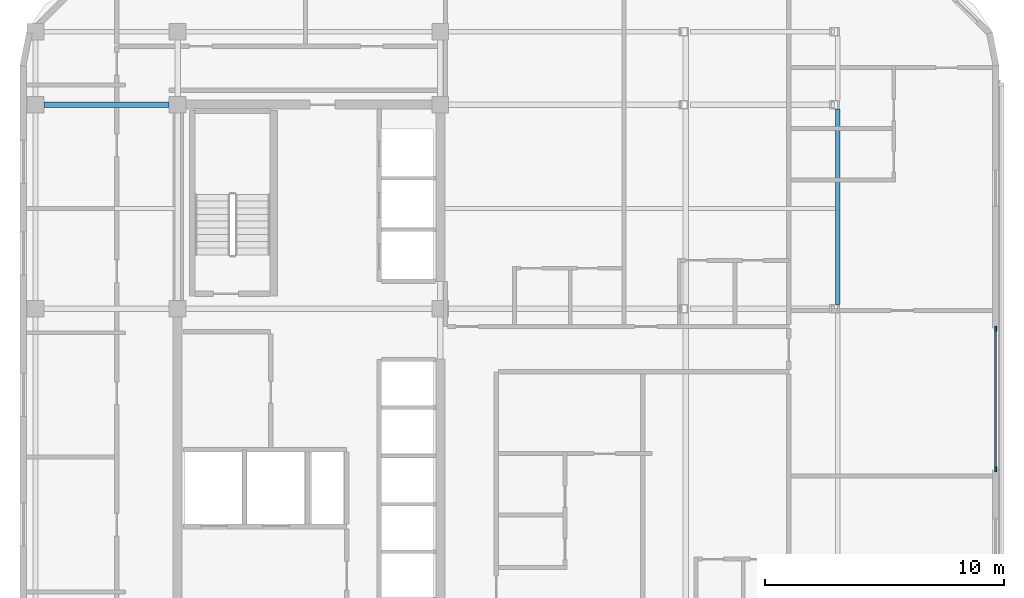
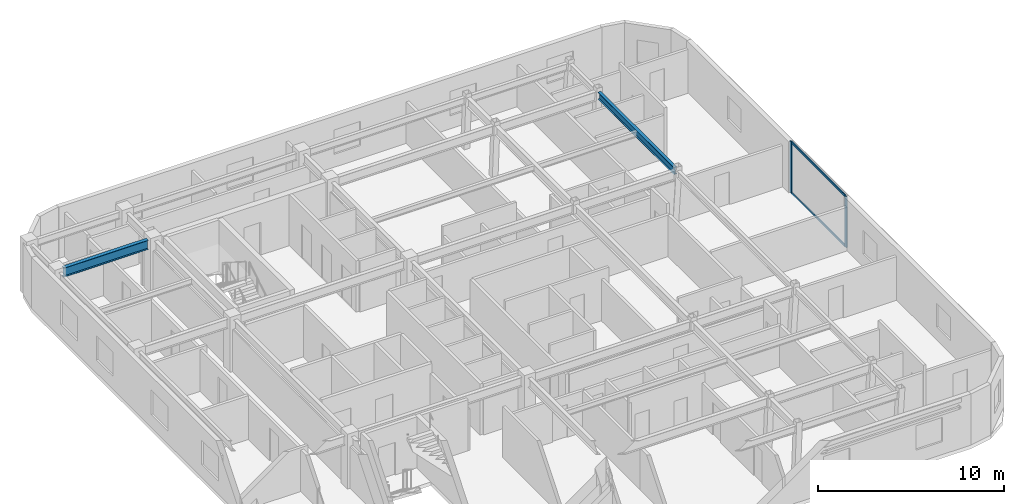
# One storey, part 2 of 11: 4 members, 2 beams, 1 element without a shape of its own.
"""IFC4 building model written with IfcOpenShell, lengths in metres."""

from ifc_helpers import new_model, si_unit, direction, frame, origin, origin_2d, place, context, subcontext, project, spatial, rectangle, i_section, extrude, material, layer, layer_set, material_profile, profile_set, type_object, element, aggregate, save


model = new_model("IFC4")

# Units and contexts
model_context = context("Model", 3, precision=1e-05, world=origin(), true_north=direction((0.0, 1.0)))
body_context = subcontext(model_context, "Body", "Model", "MODEL_VIEW")
ifc_project = project(units=[si_unit("LENGTHUNIT", "METRE"), si_unit("AREAUNIT", "SQUARE_METRE"), si_unit("VOLUMEUNIT", "CUBIC_METRE"), si_unit("PLANEANGLEUNIT", "RADIAN"), si_unit("MASSUNIT", "GRAM", prefix="KILO")], contexts=[model_context])

# Site, building, storey
site_placement = place(None, origin())
site = spatial("IfcSite", under=ifc_project, at=site_placement, CompositionType="ELEMENT")
building_placement = place(site_placement, origin())
building = spatial("IfcBuilding", under=site, at=building_placement, Name="Ochreholt Gables", CompositionType="ELEMENT")
storey_placement = place(building_placement, frame((0.0, 0.0, 155.39990234375)))
storey = spatial("IfcBuildingStorey", under=building, at=storey_placement, Name="L40", CompositionType="ELEMENT", Elevation=155.39990234375)

# Beams
ifc_material_1 = material(Name="Steel CSA G40.21 350W", Category="steel")
ifc_material_profile_1 = material_profile(ifc_material_1, i_section(OverallWidth=0.22900390625, OverallDepth=0.612060546875, WebThickness=0.011962890625, FlangeThickness=0.01953125, at=origin_2d()), Name="W610X125")
ifc_profile_set_1 = profile_set([ifc_material_profile_1], Name="Steel CSA G40.21 350W")
beam_type_1 = type_object("IfcBeamType", Name="BM-G-W610B", PredefinedType="BEAM", material=ifc_profile_set_1)
beam_1_placement = place(storey_placement, frame((18.599609375, 38.75, 3.05419921875), z_axis=(1.0, 0.0, 0.0), x_axis=(0.0, 1.0, 0.0)))
element("IfcBeam", 1, at=beam_1_placement, inside=storey, type_object=beam_type_1, Name="L40 Beam TBG-L40-W3C1-Y5", PredefinedType="BEAM", context=body_context, shape_type="SweptSolid", body=[
    extrude(i_section(OverallWidth=0.22900390625, OverallDepth=0.612060546875, WebThickness=0.011962890625, FlangeThickness=0.01953125, at=origin_2d()), origin(), (0.0, 0.0, 1.0), 5.250732421875),
])
ifc_material_profile_2 = material_profile(ifc_material_1, i_section(OverallWidth=0.19189453125, OverallDepth=0.462890625, WebThickness=0.010498046875, FlangeThickness=0.017578125, at=origin_2d()), Name="W460X89")
ifc_profile_set_2 = profile_set([ifc_material_profile_2], Name="Steel CSA G40.21 350W")
beam_type_2 = type_object("IfcBeamType", Name="BM-SP-W460A", PredefinedType="SPANDREL", material=ifc_profile_set_2)
beam_2_placement = place(storey_placement, frame((51.850341796875, 30.377685546875, 3.128662109375), z_axis=(0.0, 1.0, 0.0), x_axis=(-1.0, 0.0, 0.0)))
element("IfcBeam", 2, at=beam_2_placement, inside=storey, type_object=beam_type_2, Name="L40 Beam TBN-L40-EE-Y4Y5", PredefinedType="SPANDREL", context=body_context, shape_type="SweptSolid", body=[
    extrude(i_section(OverallWidth=0.19189453125, OverallDepth=0.462890625, WebThickness=0.010498046875, FlangeThickness=0.017578125, at=origin_2d()), origin(), (0.0, 0.0, 1.0), 8.19482421875),
])

# Curtain wall, members
ifc_material_2 = material(Name="Unitised Aluminium and Triple Glazing", Category="aluminium")
ifc_layer = layer(ifc_material_2, 0.199951171875, Name="Unitised Aluminium and Triple Glazing")
ifc_layer_set = layer_set([ifc_layer], Name="Unitised Aluminium and Triple Glazing")
curtain_wall_type = type_object("IfcCurtainWallType", Name="CW-SYS4", PredefinedType="NOTDEFINED", material=ifc_layer_set)
curtain_wall_placement = place(storey_placement, origin())
curtain_wall = element("IfcCurtainWall", 3, at=curtain_wall_placement, inside=storey, type_object=curtain_wall_type, Name="L40 East Unitised Curtain Wall", PredefinedType="NOTDEFINED")
ifc_material_3 = material(Name="Anodized Aluminium 6063-T6", Category="aluminium")
ifc_material_profile_3 = material_profile(ifc_material_3, rectangle(XDim=0.074951171875, YDim=0.199951171875, at=origin_2d()), Name="CWM75X200")
ifc_profile_set_3 = profile_set([ifc_material_profile_3], Name="Anodized Aluminium 6063-T6")
member_type_1 = type_object("IfcMemberType", Name="CW-MUL-A", PredefinedType="MULLION", material=ifc_profile_set_3)
member_1_placement = place(storey_placement, frame((58.4599609375, 23.487548828125, 0.0), z_axis=(0.0, 0.0, 1.0), x_axis=(-1.0, 0.0, 0.0)))
member_1 = element("IfcMember", 4, at=member_1_placement, type_object=member_type_1, Name="CW-4 mullion 1", PredefinedType="MULLION", context=body_context, shape_type="SweptSolid", body=[
    extrude(rectangle(XDim=0.074951171875, YDim=0.199951171875, at=origin_2d()), origin(), (0.0, 0.0, 1.0), 3.360107421875),
])
member_2_placement = place(storey_placement, frame((58.4599609375, 29.362548828125, 0.0), z_axis=(0.0, 0.0, 1.0), x_axis=(-1.0, 0.0, 0.0)))
member_2 = element("IfcMember", 5, at=member_2_placement, type_object=member_type_1, Name="CW-4 mullion 2", PredefinedType="MULLION", context=body_context, shape_type="SweptSolid", body=[
    extrude(rectangle(XDim=0.074951171875, YDim=0.199951171875, at=origin_2d()), origin(), (0.0, 0.0, 1.0), 3.360107421875),
])
ifc_material_profile_4 = material_profile(ifc_material_3, rectangle(XDim=0.06494140625, YDim=0.135009765625, at=origin_2d()), Name="CWT65X135")
ifc_profile_set_4 = profile_set([ifc_material_profile_4], Name="Anodized Aluminium 6063-T6")
member_type_2 = type_object("IfcMemberType", Name="CW-TRN-B", PredefinedType="USERDEFINED", material=ifc_profile_set_4)
member_3_placement = place(storey_placement, frame((58.4599609375, 23.52490234375, 0.03271484375), z_axis=(0.0, 1.0, 0.0), x_axis=(-1.0, 0.0, 0.0)))
member_3 = element("IfcMember", 6, at=member_3_placement, type_object=member_type_2, Name="CW-4 transom 1.1", ObjectType="TRANSOM", PredefinedType="USERDEFINED", context=body_context, shape_type="SweptSolid", body=[
    extrude(rectangle(XDim=0.06494140625, YDim=0.135009765625, at=origin_2d()), origin(), (0.0, 0.0, 1.0), 5.800048828125),
])
member_4_placement = place(storey_placement, frame((58.4599609375, 23.52490234375, 3.32763671875), z_axis=(0.0, 1.0, 0.0), x_axis=(-1.0, 0.0, 0.0)))
member_4 = element("IfcMember", 7, at=member_4_placement, type_object=member_type_2, Name="CW-4 transom 1.2", ObjectType="TRANSOM", PredefinedType="USERDEFINED", context=body_context, shape_type="SweptSolid", body=[
    extrude(rectangle(XDim=0.06494140625, YDim=0.135009765625, at=origin_2d()), origin(), (0.0, 0.0, 1.0), 5.800048828125),
])
aggregate(curtain_wall, [member_1, member_2, member_3, member_4])

save(model, "model.ifc")
